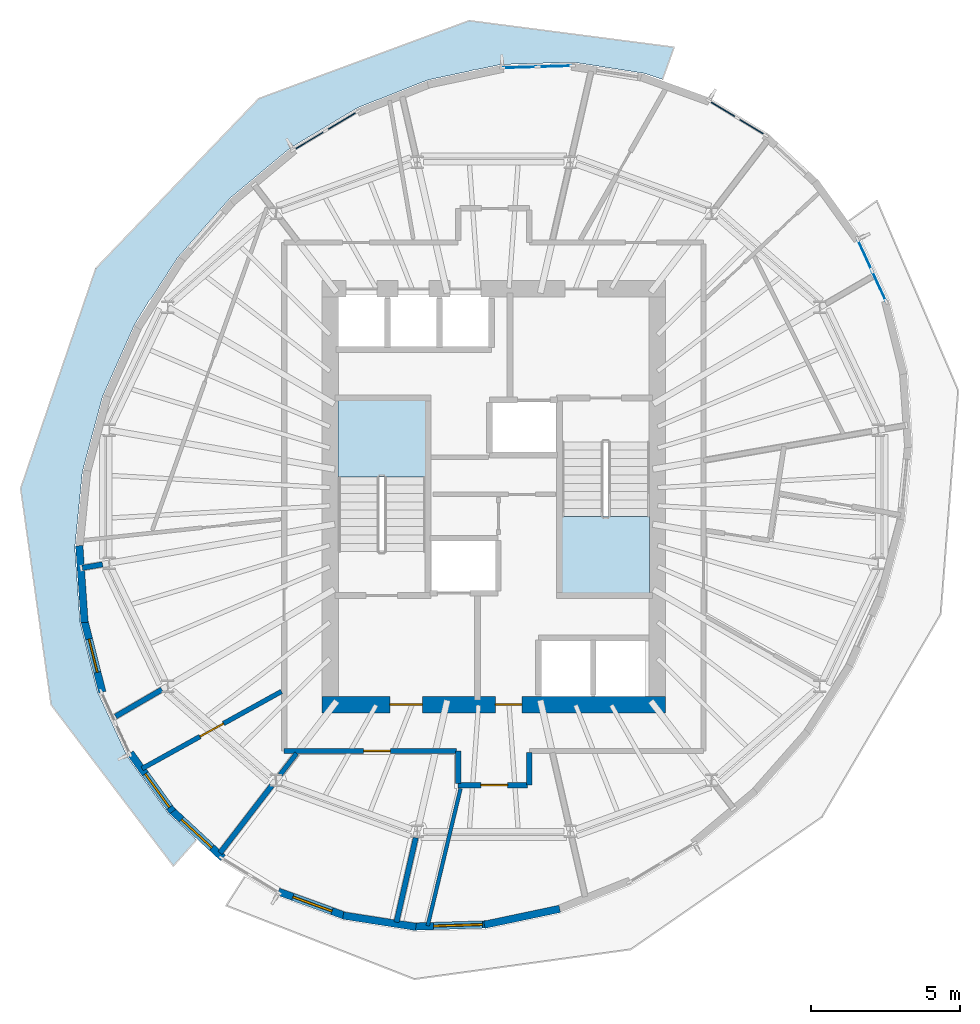
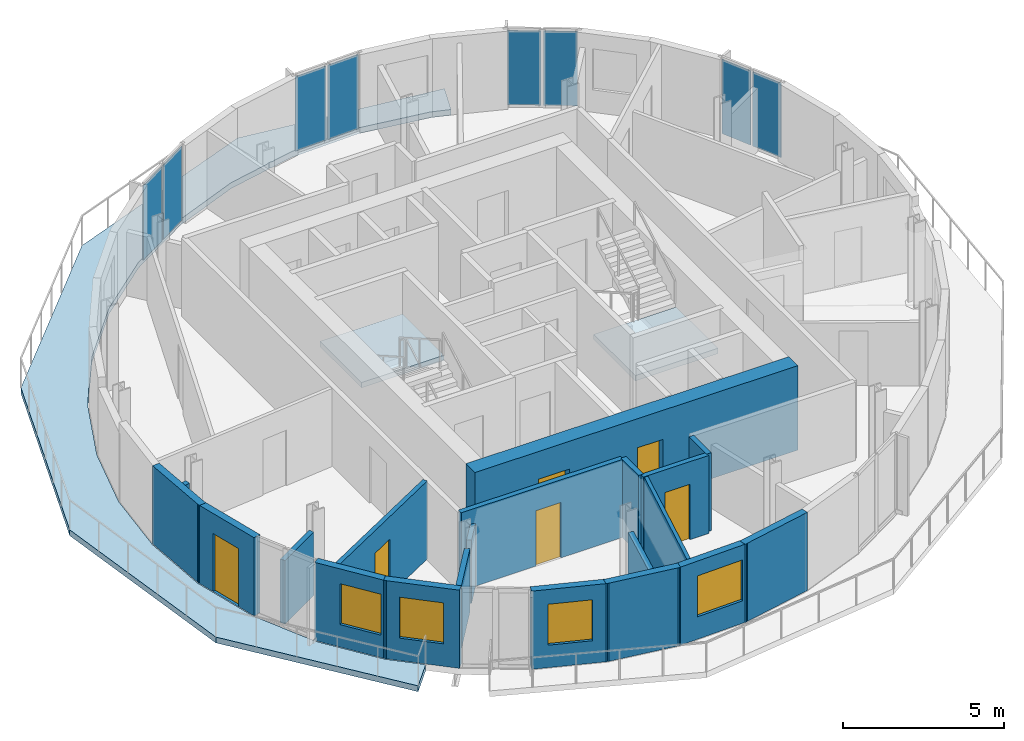
# One storey, part 4 of 11: 20 walls, 8 plates, 6 doors, 4 windows, 3 slabs, 10 openings, 6 elements without a shape of their own.
"""IFC4 building model written with IfcOpenShell, lengths in metres."""

import ifcopenshell
import ifcopenshell.guid

model = None  # the IFC model being written
_history = None  # IfcOwnerHistory: only IFC2X3 demands one
_inside = {}  # id of a spatial element -> (the spatial element, [elements in it])
_under = {}  # id of a project, library or spatial element -> (it, [spatial elements below it])
_declared = {}  # id of a project -> (the project, [libraries it declares])
_typed = {}  # id of a type object -> (the type object, [elements of that type])
_made_of = {}  # id of a material, layer set ... -> (it, [elements and type objects made of it])


def new_model(schema):
    """Start an empty IFC model of exactly this schema.

    Asked for "IFC4X3", IfcOpenShell would pick the latest addendum, in which some entities
    have other attributes; the version numbers below select the first issue.
    IFC2X3 requires an IfcOwnerHistory on every rooted entity: one is made here for all.
    """
    global model, _history
    if schema == "IFC4X3":
        model = ifcopenshell.file(schema_version=(4, 3, 0, 0))
    else:
        model = ifcopenshell.file(schema=schema)
    _inside.clear()
    _under.clear()
    _declared.clear()
    _typed.clear()
    _made_of.clear()
    _history = None
    if model.schema == "IFC2X3":
        org = make("IfcOrganization", Name="unknown")
        user = make(
            "IfcPersonAndOrganization",
            ThePerson=make("IfcPerson", FamilyName="unknown"),
            TheOrganization=org,
        )
        app = make(
            "IfcApplication",
            ApplicationDeveloper=org,
            Version="unknown",
            ApplicationFullName="unknown",
            ApplicationIdentifier="unknown",
        )
        _history = make(
            "IfcOwnerHistory",
            OwningUser=user,
            OwningApplication=app,
            ChangeAction="ADDED",
            CreationDate=0,
        )
    return model


def make(cls, **values):
    """One entity of the class cls with the attributes given. An attribute that is None is left unset."""
    return model.create_entity(
        cls, **{name: value for name, value in values.items() if value is not None}
    )


def rooted(cls, **values):
    """An entity with a GlobalId (a new one), such as an element, a storey or a relation."""
    return make(cls, GlobalId=ifcopenshell.guid.new(), OwnerHistory=_history, **values)


def si_unit(unit_type, name, prefix=None):
    """IfcSIUnit, for example si_unit("LENGTHUNIT", "METRE", prefix="MILLI")."""
    return make("IfcSIUnit", UnitType=unit_type, Prefix=prefix, Name=name)


def assignment(units):
    """IfcUnitAssignment: the units of a project."""
    return None if units is None else make("IfcUnitAssignment", Units=units)


def point(xyz):
    """IfcCartesianPoint."""
    return None if xyz is None else make("IfcCartesianPoint", Coordinates=xyz)


def direction(xyz):
    """IfcDirection."""
    return None if xyz is None else make("IfcDirection", DirectionRatios=xyz)


def frame(location, z_axis=None, x_axis=None):
    """IfcAxis2Placement3D, a coordinate frame: its origin and axes. An axis left out is left unset."""
    return make(
        "IfcAxis2Placement3D",
        Location=point(location),
        Axis=direction(z_axis),
        RefDirection=direction(x_axis),
    )


def frame_2d(location, x_axis=None):
    """IfcAxis2Placement2D, a coordinate frame in the plane: its origin and x axis."""
    return make(
        "IfcAxis2Placement2D", Location=point(location), RefDirection=direction(x_axis)
    )


def origin():
    """The frame at (0, 0, 0) with its axes left unset."""
    return frame((0.0, 0.0, 0.0))


def origin_2d():
    """The frame at (0, 0) in the plane with its x axis left unset."""
    return frame_2d((0.0, 0.0))


def place(relative_to, where):
    """IfcLocalPlacement: puts the frame where relative to a parent placement (None: the world)."""
    return make(
        "IfcLocalPlacement", PlacementRelTo=relative_to, RelativePlacement=where
    )


def context(
    kind, dimensions, precision=None, world=None, true_north=None, identifier=None
):
    """IfcGeometricRepresentationContext, for example the 3D "Model" context."""
    return make(
        "IfcGeometricRepresentationContext",
        ContextIdentifier=identifier,
        ContextType=kind,
        CoordinateSpaceDimension=dimensions,
        Precision=precision,
        WorldCoordinateSystem=world,
        TrueNorth=true_north,
    )


def subcontext(parent, identifier, kind, view, scale=None):
    """IfcGeometricRepresentationSubContext, for example "Body" below "Model"."""
    return make(
        "IfcGeometricRepresentationSubContext",
        ContextIdentifier=identifier,
        ContextType=kind,
        ParentContext=parent,
        TargetScale=scale,
        TargetView=view,
    )


def project(units=None, contexts=None):
    """IfcProject with its units and contexts."""
    return rooted(
        "IfcProject",
        Name="project",
        RepresentationContexts=contexts,
        UnitsInContext=assignment(units),
    )


def spatial(cls, under=None, at=None, **own):
    """A site, building, storey or space (cls), placed at a placement, below another one or the project."""
    s = rooted(cls, ObjectPlacement=at, **own)
    if under is not None:
        _under.setdefault(under.id(), (under, []))[1].append(s)
    return s


def polyline(points):
    """IfcPolyline through the points."""
    return make("IfcPolyline", Points=[point(p) for p in points])


def profile(cls, at=None, kind="AREA", **sizes):
    """A parametric profile (cls). Its sizes go by their IFC names, for example OverallWidth=200.0."""
    return make(cls, ProfileType=kind, Position=at, **sizes)


def rectangle(**sizes):
    """IfcRectangleProfileDef."""
    return profile("IfcRectangleProfileDef", **sizes)


def outline(outer, holes=None, kind="AREA"):
    """IfcArbitraryClosedProfileDef: a profile drawn as a closed curve; with holes, ...WithVoids."""
    if holes is None:
        return make("IfcArbitraryClosedProfileDef", ProfileType=kind, OuterCurve=outer)
    return make(
        "IfcArbitraryProfileDefWithVoids",
        ProfileType=kind,
        OuterCurve=outer,
        InnerCurves=holes,
    )


def extrude(swept, where, along, depth):
    """IfcExtrudedAreaSolid: the profile swept, set in the frame where, extruded along a direction by depth."""
    return make(
        "IfcExtrudedAreaSolid",
        SweptArea=swept,
        Position=where,
        ExtrudedDirection=direction(along),
        Depth=depth,
    )


def shape(context_of_items, identifier, shape_type, items):
    """IfcShapeRepresentation: the items that make up one representation, for example the "Body"."""
    return make(
        "IfcShapeRepresentation",
        ContextOfItems=context_of_items,
        RepresentationIdentifier=identifier,
        RepresentationType=shape_type,
        Items=items,
    )


def material(Name=None, Category=None):
    """IfcMaterial."""
    return make("IfcMaterial", Name=Name, Category=Category)


def layer(
    of_material, thickness, ventilated=None, Name=None, Category=None, Priority=None
):
    """IfcMaterialLayer: one layer of a wall or slab, of a material (None: an air gap)."""
    return make(
        "IfcMaterialLayer",
        Material=of_material,
        LayerThickness=thickness,
        IsVentilated=ventilated,
        Name=Name,
        Category=Category,
        Priority=Priority,
    )


def layer_set(layers, Name=None):
    """IfcMaterialLayerSet."""
    return make("IfcMaterialLayerSet", MaterialLayers=layers, LayerSetName=Name)


def made_of(thing, what):
    """Note that an element or type object is made of a material, layer set ...; save() writes the relation."""
    if what is not None:
        _made_of.setdefault(what.id(), (what, []))[1].append(thing)
    return thing


def type_object(cls, material=None, **own):
    """A type object (cls), such as IfcWallType, which elements share."""
    return made_of(rooted(cls, **own), material)


def element(
    cls,
    number,
    at=None,
    inside=None,
    cuts=None,
    type_object=None,
    material=None,
    context=None,
    identifier="Body",
    shape_type=None,
    held_by="IfcProductDefinitionShape",
    body=None,
    shapes=None,
    **own,
):
    """One element of the class cls, such as IfcWall. Its Tag is "e" and its number.

    at: its placement. inside: the storey or other place that contains it. cuts: it is an
    opening in that element (IfcRelVoidsElement). A single representation is given by context,
    identifier, shape_type and body (its items); several are given by shapes. held_by: the class
    of the entity that holds the representations. save() writes the other relations.
    """
    e = rooted(cls, Tag="e%d" % number, ObjectPlacement=at, **own)
    if body is not None:
        shapes = [shape(context, identifier, shape_type, body)]
    if shapes is not None:
        e.Representation = make(held_by, Representations=shapes)
    if inside is not None:
        _inside.setdefault(inside.id(), (inside, []))[1].append(e)
    if cuts is not None:
        rooted(
            "IfcRelVoidsElement", RelatingBuildingElement=cuts, RelatedOpeningElement=e
        )
    if type_object is not None:
        _typed.setdefault(type_object.id(), (type_object, []))[1].append(e)
    return made_of(e, material)


def fill(opening, filler):
    """IfcRelFillsElement: the door or window that sits in an opening."""
    return rooted(
        "IfcRelFillsElement",
        RelatingOpeningElement=opening,
        RelatedBuildingElement=filler,
    )


def aggregate(whole, parts):
    """IfcRelAggregates: a whole, such as a stair, and the parts it consists of."""
    return rooted("IfcRelAggregates", RelatingObject=whole, RelatedObjects=parts)


def save(model, path):
    """Write the relations noted so far, then the file.

    IfcRelAggregates (storeys below a building ...), IfcRelContainedInSpatialStructure (elements
    in a storey), IfcRelDefinesByType, IfcRelAssociatesMaterial and IfcRelDeclares: one each for
    every whole, place, type object, material and project.
    """
    for whole, parts in _under.values():
        aggregate(whole, parts)
    for where, things in _inside.values():
        rooted(
            "IfcRelContainedInSpatialStructure",
            RelatedElements=things,
            RelatingStructure=where,
        )
    for kind, things in _typed.values():
        rooted("IfcRelDefinesByType", RelatedObjects=things, RelatingType=kind)
    for what, things in _made_of.values():
        rooted("IfcRelAssociatesMaterial", RelatedObjects=things, RelatingMaterial=what)
    for by, libraries in _declared.values():
        rooted("IfcRelDeclares", RelatingContext=by, RelatedDefinitions=libraries)
    model.write(path)


model = new_model("IFC4")

# Units and contexts
model_context = context("Model", 3, precision=1e-05, world=origin(), true_north=direction((0.0, 1.0)))
body_context = subcontext(model_context, "Body", "Model", "MODEL_VIEW")
ifc_project = project(units=[si_unit("LENGTHUNIT", "METRE"), si_unit("AREAUNIT", "SQUARE_METRE"), si_unit("VOLUMEUNIT", "CUBIC_METRE"), si_unit("PLANEANGLEUNIT", "RADIAN"), si_unit("MASSUNIT", "GRAM", prefix="KILO")], contexts=[model_context])

# Site, building, storey
site_placement = place(None, origin())
site = spatial("IfcSite", under=ifc_project, at=site_placement, CompositionType="ELEMENT")
building_placement = place(site_placement, origin())
building = spatial("IfcBuilding", under=site, at=building_placement, Name="Veldorim Arch Residences", CompositionType="ELEMENT")
storey_placement = place(building_placement, frame((0.0, 0.0, 217.43994140625)))
storey = spatial("IfcBuildingStorey", under=building, at=storey_placement, Name="L65", CompositionType="ELEMENT", Elevation=217.43994140625)

# Slab
ifc_material_1 = material(Name="Concrete C40/50", Category="concrete")
ifc_layer_1 = layer(ifc_material_1, 0.219970703125, Name="Planted Crescent Cantilever Balcony Slab 220")
ifc_layer_set_1 = layer_set([ifc_layer_1], Name="Concrete C40/50")
slab_type_1 = type_object("IfcSlabType", Name="Planted Crescent Cantilever Balcony Slab 220", PredefinedType="FLOOR", material=ifc_layer_set_1)
slab_1_placement = place(storey_placement, frame((0.0, 0.0, -0.219970703125)))
element("IfcSlab", 1, at=slab_1_placement, inside=storey, type_object=slab_type_1, Name="L65 planted crescent balcony slab A", PredefinedType="FLOOR", context=body_context, shape_type="SweptSolid", body=[
    extrude(outline(polyline([(37.680419921875, 38.05078125), (37.051513671875, 38.256103515625), (34.687744140625, 38.62548828125), (32.2421875, 38.5498046875), (31.4560546875, 38.384033203125), (31.35986328125, 38.38916015625), (31.243896484375, 38.33935546875), (29.789794921875, 38.032470703125), (27.404296875, 37.088623046875), (25.158935546875, 35.747314453125), (23.121337890625, 34.04931640625), (21.353515625, 32.046142578125), (20.4931640625, 30.707763671875), (20.40966796875, 30.6181640625), (19.90869140625, 29.798583984375), (18.831298828125, 27.374755859375), (18.15380859375, 24.848388671875), (17.897216796875, 22.296142578125), (18.068603515625, 19.795654296875), (18.66357421875, 17.422607421875), (19.6640625, 15.248779296875), (21.039306640625, 13.34130859375), (21.90380859375, 12.540283203125), (21.97509765625, 12.429931640625), (21.213134765625, 11.568603515625), (17.098388671875, 16.993408203125), (16.072509765625, 24.278564453125), (18.603515625, 31.689697265625), (24.087646484375, 37.402587890625), (31.172607421875, 40.026123046875), (38.071533203125, 39.132080078125), (37.680419921875, 38.05078125)])), origin(), (0.0, 0.0, 1.0), 0.219970703125),
])

# Stair, slab
ifc_material_2 = material(Name="Concrete C40/50", Category="concrete")
stair_type = type_object("IfcStairType", Name="Reinforced Concrete Dogleg Exit Staircase", PredefinedType="HALF_TURN_STAIR", material=ifc_material_2)
stair_1_placement = place(storey_placement, origin())
stair_1 = element("IfcStair", 2, at=stair_1_placement, inside=storey, type_object=stair_type, Name="L65 Exit Staircase ST-1", PredefinedType="HALF_TURN_STAIR")
ifc_material_3 = material(Name="Concrete C40/50", Category="concrete")
ifc_layer_2 = layer(ifc_material_3, 0.199951171875, Name="Reinforced Concrete Stair Landing 200")
ifc_layer_set_2 = layer_set([ifc_layer_2], Name="Concrete C40/50")
slab_type_2 = type_object("IfcSlabType", Name="Reinforced Concrete Stair Landing 200", PredefinedType="LANDING", material=ifc_layer_set_2)
slab_2_placement = place(storey_placement, frame((0.0, 0.0, 1.400146484375)))
slab_2 = element("IfcSlab", 3, at=slab_2_placement, type_object=slab_type_2, Name="ST-1 landing 1", PredefinedType="LANDING", context=body_context, shape_type="SweptSolid", body=[
    extrude(outline(polyline([(29.7099609375, 24.669921875), (29.7099609375, 27.25), (26.75, 27.25), (26.75, 24.669921875), (29.7099609375, 24.669921875)])), origin(), (0.0, 0.0, 1.0), 0.199951171875),
])
aggregate(stair_1, [slab_2])

stair_2_placement = place(storey_placement, origin())
stair_2 = element("IfcStair", 4, at=stair_2_placement, inside=storey, type_object=stair_type, Name="L65 Exit Staircase ST-2", PredefinedType="HALF_TURN_STAIR")
slab_3_placement = place(storey_placement, frame((0.0, 0.0, 1.400146484375)))
slab_3 = element("IfcSlab", 5, at=slab_3_placement, type_object=slab_type_2, Name="ST-2 landing 1", PredefinedType="LANDING", context=body_context, shape_type="SweptSolid", body=[
    extrude(outline(polyline([(34.2900390625, 23.330078125), (34.2900390625, 20.75), (37.25, 20.75), (37.25, 23.330078125), (34.2900390625, 23.330078125)])), origin(), (0.0, 0.0, 1.0), 0.199951171875),
])
aggregate(stair_2, [slab_3])

# Curtain wall, plates
ifc_material_4 = material(Name="Aluminium", Category="aluminium")
curtain_wall_type = type_object("IfcCurtainWallType", Name="Zone 4 High-Altitude Unitised Curtain Wall", PredefinedType="NOTDEFINED", material=ifc_material_4)
curtain_wall_1_placement = place(storey_placement, origin())
curtain_wall_1 = element("IfcCurtainWall", 6, at=curtain_wall_1_placement, inside=storey, type_object=curtain_wall_type, Name="L65 unitised curtain wall bay 01", PredefinedType="NOTDEFINED")
ifc_material_5 = material(Name="Laminated Low-E Glass", Category="glass")
ifc_layer_3 = layer(ifc_material_5, 0.030029296875, Name="Zone 4 High-Altitude Unitised Curtain Wall Glazing Panel 30")
ifc_layer_set_3 = layer_set([ifc_layer_3], Name="Laminated Low-E Glass")
plate_type = type_object("IfcPlateType", Name="Zone 4 High-Altitude Unitised Curtain Wall Glazing Panel 30", PredefinedType="CURTAIN_PANEL", material=ifc_layer_set_3)
plate_1_placement = place(storey_placement, frame((39.716796875, 37.042236328125, 0.074951171875), z_axis=(0.0, 0.0, 1.0), x_axis=(0.854146218846, -0.520032918989, 0.0)))
plate_1 = element("IfcPlate", 7, at=plate_1_placement, type_object=plate_type, Name="CW-Z4 panel 1.1", PredefinedType="CURTAIN_PANEL", context=body_context, shape_type="SweptSolid", body=[
    extrude(rectangle(XDim=1.0498046875, YDim=0.030029296875, at=origin_2d()), origin(), (0.0, 0.0, 1.0), 2.81005859375),
])
plate_2_placement = place(storey_placement, frame((40.677734375, 36.457275390625, 0.074951171875), z_axis=(0.0, 0.0, 1.0), x_axis=(0.854146218846, -0.520032918989, 0.0)))
plate_2 = element("IfcPlate", 8, at=plate_2_placement, type_object=plate_type, Name="CW-Z4 panel 2.1", PredefinedType="CURTAIN_PANEL", context=body_context, shape_type="SweptSolid", body=[
    extrude(rectangle(XDim=1.0498046875, YDim=0.030029296875, at=origin_2d()), origin(), (0.0, 0.0, 1.0), 2.81005859375),
])
aggregate(curtain_wall_1, [plate_1, plate_2])

curtain_wall_2_placement = place(storey_placement, origin())
curtain_wall_2 = element("IfcCurtainWall", 9, at=curtain_wall_2_placement, inside=storey, type_object=curtain_wall_type, Name="L65 unitised curtain wall bay 04", PredefinedType="NOTDEFINED")
plate_3_placement = place(storey_placement, frame((32.876953125, 38.454345703125, 0.074951171875), z_axis=(0.0, 0.0, 1.0), x_axis=(0.999524500422, 0.030834608084, 0.0)))
plate_3 = element("IfcPlate", 10, at=plate_3_placement, type_object=plate_type, Name="CW-Z4 panel 1.1", PredefinedType="CURTAIN_PANEL", context=body_context, shape_type="SweptSolid", body=[
    extrude(rectangle(XDim=1.108642578125, YDim=0.030029296875, at=origin_2d()), origin(), (0.0, 0.0, 1.0), 2.81005859375),
])
plate_4_placement = place(storey_placement, frame((34.059814453125, 38.490966796875, 0.074951171875), z_axis=(0.0, 0.0, 1.0), x_axis=(0.999524500422, 0.030834608084, 0.0)))
plate_4 = element("IfcPlate", 11, at=plate_4_placement, type_object=plate_type, Name="CW-Z4 panel 2.1", PredefinedType="CURTAIN_PANEL", context=body_context, shape_type="SweptSolid", body=[
    extrude(rectangle(XDim=1.108642578125, YDim=0.030029296875, at=origin_2d()), origin(), (0.0, 0.0, 1.0), 2.81005859375),
])
aggregate(curtain_wall_2, [plate_3, plate_4])

curtain_wall_3_placement = place(storey_placement, origin())
curtain_wall_3 = element("IfcCurtainWall", 12, at=curtain_wall_3_placement, inside=storey, type_object=curtain_wall_type, Name="L65 unitised curtain wall bay 07", PredefinedType="NOTDEFINED")
plate_5_placement = place(storey_placement, frame((25.796142578125, 35.994140625, 0.074951171875), z_axis=(0.0, 0.0, 1.0), x_axis=(0.85849808331, 0.512816771325, 0.0)))
plate_5 = element("IfcPlate", 13, at=plate_5_placement, type_object=plate_type, Name="CW-Z4 panel 1.1", PredefinedType="CURTAIN_PANEL", context=body_context, shape_type="SweptSolid", body=[
    extrude(rectangle(XDim=1.193359375, YDim=0.030029296875, at=origin_2d()), origin(), (0.0, 0.0, 1.0), 2.81005859375),
])
plate_6_placement = place(storey_placement, frame((26.885009765625, 36.64453125, 0.074951171875), z_axis=(0.0, 0.0, 1.0), x_axis=(0.85849808331, 0.512816771325, 0.0)))
plate_6 = element("IfcPlate", 14, at=plate_6_placement, type_object=plate_type, Name="CW-Z4 panel 2.1", PredefinedType="CURTAIN_PANEL", context=body_context, shape_type="SweptSolid", body=[
    extrude(rectangle(XDim=1.193359375, YDim=0.030029296875, at=origin_2d()), origin(), (0.0, 0.0, 1.0), 2.81005859375),
])
aggregate(curtain_wall_3, [plate_5, plate_6])

curtain_wall_4_placement = place(storey_placement, origin())
curtain_wall_4 = element("IfcCurtainWall", 15, at=curtain_wall_4_placement, inside=storey, type_object=curtain_wall_type, Name="L65 unitised curtain wall bay 34", PredefinedType="NOTDEFINED")
plate_7_placement = place(storey_placement, frame((44.489990234375, 32.141357421875, 0.074951171875), z_axis=(0.0, 0.0, 1.0), x_axis=(0.418101919427, -0.908400123828, 0.0)))
plate_7 = element("IfcPlate", 16, at=plate_7_placement, type_object=plate_type, Name="CW-Z4 panel 1.1", PredefinedType="CURTAIN_PANEL", context=body_context, shape_type="SweptSolid", body=[
    extrude(rectangle(XDim=1.08154296875, YDim=0.030029296875, at=origin_2d()), origin(), (0.0, 0.0, 1.0), 2.81005859375),
])
plate_8_placement = place(storey_placement, frame((44.973388671875, 31.0908203125, 0.074951171875), z_axis=(0.0, 0.0, 1.0), x_axis=(0.418101919427, -0.908400123828, 0.0)))
plate_8 = element("IfcPlate", 17, at=plate_8_placement, type_object=plate_type, Name="CW-Z4 panel 2.1", PredefinedType="CURTAIN_PANEL", context=body_context, shape_type="SweptSolid", body=[
    extrude(rectangle(XDim=1.08154296875, YDim=0.030029296875, at=origin_2d()), origin(), (0.0, 0.0, 1.0), 2.81005859375),
])
aggregate(curtain_wall_4, [plate_7, plate_8])

# Walls
ifc_material_6 = material(Name="Acoustic Gypsum Board", Category="gypsum")
ifc_layer_4 = layer(ifc_material_6, 0.125, Name="Acoustic Stud Room Partition Wall 125")
ifc_layer_set_4 = layer_set([ifc_layer_4], Name="Acoustic Gypsum Board")
wall_type_1 = type_object("IfcWallType", Name="Acoustic Stud Room Partition Wall 125", PredefinedType="PARTITIONING", material=ifc_layer_set_4)
wall_1_placement = place(storey_placement, frame((29.775390625, 9.553955078125, 0.0), z_axis=(0.0, 0.0, 1.0), x_axis=(0.232836379221, 0.972515923012, 0.0)))
element("IfcWall", 18, at=wall_1_placement, inside=storey, type_object=wall_type_1, Name="L65 interior wall WL-RES-L65-014", PredefinedType="PARTITIONING", context=body_context, shape_type="SweptSolid", body=[
    extrude(rectangle(XDim=4.75, YDim=0.125, at=frame_2d((2.375, 0.0))), origin(), (0.0, 0.0, 1.0), 2.955078125),
])
ifc_material_7 = material(Name="Lightweight Masonry Block & Gypsum", Category="masonry")
ifc_layer_5 = layer(ifc_material_7, 0.179931640625, Name="Compartment & Corridor Fire-Rated Party Wall 180")
ifc_layer_set_5 = layer_set([ifc_layer_5], Name="Lightweight Masonry Block & Gypsum")
wall_type_2 = type_object("IfcWallType", Name="Compartment & Corridor Fire-Rated Party Wall 180", PredefinedType="PARTITIONING", material=ifc_layer_set_5)
wall_2_placement = place(storey_placement, frame((18.827392578125, 21.72119140625, 0.0), z_axis=(0.0, 0.0, 1.0), x_axis=(-0.985357392461, -0.170501639647, 0.0)))
element("IfcWall", 19, at=wall_2_placement, inside=storey, type_object=wall_type_2, Name="L65 interior wall WL-PIER-L65-09", PredefinedType="PARTITIONING", context=body_context, shape_type="SweptSolid", body=[
    extrude(rectangle(XDim=0.687255859375, YDim=0.179931640625, at=frame_2d((0.34375, 0.0))), origin(), (0.0, 0.0, 1.0), 2.403564453125),
])
wall_3_placement = place(storey_placement, frame((20.826171875, 17.5068359375, 0.0), z_axis=(0.0, 0.0, 1.0), x_axis=(-0.864637155841, -0.502396843879, 0.0)))
element("IfcWall", 20, at=wall_3_placement, inside=storey, type_object=wall_type_2, Name="L65 interior wall WL-PIER-L65-10", PredefinedType="PARTITIONING", context=body_context, shape_type="SweptSolid", body=[
    extrude(rectangle(XDim=1.802978515625, YDim=0.179931640625, at=frame_2d((0.9013671875, 0.0))), origin(), (0.0, 0.0, 1.0), 2.403564453125),
])
wall_4_placement = place(storey_placement, frame((24.526611328125, 14.272705078125, 0.0), z_axis=(0.0, 0.0, 1.0), x_axis=(-0.609244614772, -0.792982344931, 0.0)))
element("IfcWall", 21, at=wall_4_placement, inside=storey, type_object=wall_type_2, Name="L65 interior wall WL-PIER-L65-11", PredefinedType="PARTITIONING", context=body_context, shape_type="SweptSolid", body=[
    extrude(rectangle(XDim=2.86083984375, YDim=0.179931640625, at=frame_2d((1.430419921875, 0.0))), origin(), (0.0, 0.0, 1.0), 2.403564453125),
])
wall_5_placement = place(storey_placement, frame((29.37353515625, 12.516845703125, 0.0), z_axis=(0.0, 0.0, 1.0), x_axis=(-0.222945280676, -0.974830960641, 0.0)))
element("IfcWall", 22, at=wall_5_placement, inside=storey, type_object=wall_type_2, Name="L65 interior wall WL-PIER-L65-12", PredefinedType="PARTITIONING", context=body_context, shape_type="SweptSolid", body=[
    extrude(rectangle(XDim=2.916259765625, YDim=0.179931640625, at=frame_2d((1.4580078125, 0.0))), origin(), (0.0, 0.0, 1.0), 2.403564453125),
])
wall_6_placement = place(storey_placement, frame((33.199951171875, 15.3798828125, 0.0), z_axis=(0.0, 0.0, 1.0), x_axis=(0.0, -1.0, 0.0)))
element("IfcWall", 23, at=wall_6_placement, inside=storey, type_object=wall_type_2, Name="L65 interior wall WL-RES-L65-002", PredefinedType="PARTITIONING", context=body_context, shape_type="SweptSolid", body=[
    extrude(rectangle(XDim=1.08984375, YDim=0.179931640625, at=frame_2d((0.544921875, 0.0))), origin(), (0.0, 0.0, 1.0), 2.955078125),
])

# Wall, opening, door
wall_7_placement = place(storey_placement, frame((33.139892578125, 14.2900390625, 0.0), z_axis=(0.0, 0.0, 1.0), x_axis=(-1.0, 0.0, 0.0)))
wall_7 = element("IfcWall", 24, at=wall_7_placement, inside=storey, type_object=wall_type_2, Name="L65 interior wall WL-RES-L65-003", PredefinedType="PARTITIONING", context=body_context, shape_type="SweptSolid", body=[
    extrude(rectangle(XDim=2.33984375, YDim=0.179931640625, at=frame_2d((1.169921875, 0.0))), origin(), (0.0, 0.0, 1.0), 2.955078125),
])
opening_1_placement = place(wall_7_placement, frame((0.675537109375, 0.0, 0.0)))
opening_1 = element("IfcOpeningElement", 25, at=opening_1_placement, cuts=wall_7, Name="Opening DR-SVC", PredefinedType="OPENING", context=body_context, shape_type="SweptSolid", body=[
    extrude(rectangle(XDim=0.89990234375, YDim=2.10009765625, at=frame_2d((0.449951171875, 1.050048828125))), frame((0.0, 0.099853515625, 0.0), z_axis=(0.0, -1.0, 0.0), x_axis=(1.0, 0.0, 0.0)), (0.0, 0.0, 1.0), 0.199951171875),
])
ifc_material_8 = material(Name="Fire-Rated Steel", Category="steel")
door_type_1 = type_object("IfcDoorType", Name="Riser, Shelter & Plant Room Rated Steel Door 900x2100", OperationType="SINGLE_SWING_LEFT", PredefinedType="DOOR", material=ifc_material_8)
door_1_placement = place(opening_1_placement, origin())
door_1 = element("IfcDoor", 26, at=door_1_placement, inside=storey, type_object=door_type_1, Name="L65 interior door DR-RES-L65-001", OperationType="SINGLE_SWING_LEFT", OverallHeight=2.10009765625, OverallWidth=0.89990234375, PredefinedType="DOOR", context=body_context, shape_type="SweptSolid", body=[
    extrude(rectangle(XDim=0.89990234375, YDim=2.10009765625, at=frame_2d((0.449951171875, 1.050048828125))), frame((0.0, 0.02490234375, 0.0), z_axis=(0.0, -1.0, 0.0), x_axis=(1.0, 0.0, 0.0)), (0.0, 0.0, 1.0), 0.050048828125),
])
fill(opening_1, door_1)

# Wall
wall_8_placement = place(storey_placement, frame((30.800048828125, 14.35009765625, 0.0), z_axis=(0.0, 0.0, 1.0), x_axis=(0.0, 1.0, 0.0)))
element("IfcWall", 27, at=wall_8_placement, inside=storey, type_object=wall_type_2, Name="L65 interior wall WL-RES-L65-004", PredefinedType="PARTITIONING", context=body_context, shape_type="SweptSolid", body=[
    extrude(rectangle(XDim=1.08984375, YDim=0.179931640625, at=frame_2d((0.544921875, 0.0))), origin(), (0.0, 0.0, 1.0), 2.955078125),
])

# Wall, opening, door
wall_9_placement = place(storey_placement, frame((30.739990234375, 15.43994140625, 0.0), z_axis=(0.0, 0.0, 1.0), x_axis=(-1.0, 0.0, 0.0)))
wall_9 = element("IfcWall", 28, at=wall_9_placement, inside=storey, type_object=wall_type_2, Name="L65 interior wall WL-RES-L65-005", PredefinedType="PARTITIONING", context=body_context, shape_type="SweptSolid", body=[
    extrude(rectangle(XDim=5.800048828125, YDim=0.179931640625, at=frame_2d((2.89990234375, 0.0))), origin(), (0.0, 0.0, 1.0), 2.955078125),
])
opening_2_placement = place(wall_9_placement, frame((2.220703125, 0.0, 0.0)))
opening_2 = element("IfcOpeningElement", 29, at=opening_2_placement, cuts=wall_9, Name="Opening DR-INT", PredefinedType="OPENING", context=body_context, shape_type="SweptSolid", body=[
    extrude(rectangle(XDim=0.89990234375, YDim=2.10009765625, at=frame_2d((0.449951171875, 1.050048828125))), frame((0.0, 0.099853515625, 0.0), z_axis=(0.0, -1.0, 0.0), x_axis=(1.0, 0.0, 0.0)), (0.0, 0.0, 1.0), 0.199951171875),
])
ifc_material_9 = material(Name="Engineered Timber", Category="wood")
door_type_2 = type_object("IfcDoorType", Name="Apartment Internal Room Timber Door 900x2100", OperationType="SINGLE_SWING_LEFT", PredefinedType="DOOR", material=ifc_material_9)
door_2_placement = place(opening_2_placement, origin())
door_2 = element("IfcDoor", 30, at=door_2_placement, inside=storey, type_object=door_type_2, Name="L65 interior door DR-RES-L65-002", OperationType="SINGLE_SWING_RIGHT", OverallHeight=2.10009765625, OverallWidth=0.89990234375, PredefinedType="DOOR", context=body_context, shape_type="SweptSolid", body=[
    extrude(rectangle(XDim=0.89990234375, YDim=2.10009765625, at=frame_2d((0.449951171875, 1.050048828125))), frame((0.0, 0.02490234375, 0.0), z_axis=(0.0, -1.0, 0.0), x_axis=(1.0, 0.0, 0.0)), (0.0, 0.0, 1.0), 0.050048828125),
])
fill(opening_2, door_2)

# Wall
ifc_material_10 = material(Name="Precast concrete C40/50", Category="concrete")
ifc_layer_6 = layer(ifc_material_10, 0.25, Name="Tower Terracotta Spandrel & Pier Wall 250")
ifc_layer_set_6 = layer_set([ifc_layer_6], Name="Precast concrete C40/50")
wall_type_3 = type_object("IfcWallType", Name="Tower Terracotta Spandrel & Pier Wall 250", PredefinedType="SOLIDWALL", material=ifc_layer_set_6)
wall_10_placement = place(storey_placement, frame((18.22119140625, 19.76318359375, 0.0), z_axis=(0.0, 0.0, 1.0), x_axis=(-0.068469168344, 0.997653232835, 0.0)))
element("IfcWall", 31, at=wall_10_placement, inside=storey, type_object=wall_type_3, Name="L65 terracotta facade wall 14", PredefinedType="SOLIDWALL", context=body_context, shape_type="SweptSolid", body=[
    extrude(rectangle(XDim=2.59228515625, YDim=0.25, at=frame_2d((1.296142578125, 0.0))), origin(), (0.0, 0.0, 1.0), 2.9599609375),
])

# Wall, opening, door
wall_11_placement = place(storey_placement, frame((18.819580078125, 17.41748046875, 0.0), z_axis=(0.0, 0.0, 1.0), x_axis=(-0.243170809566, 0.969983483042, 0.0)))
wall_11 = element("IfcWall", 32, at=wall_11_placement, inside=storey, type_object=wall_type_3, Name="L65 terracotta facade wall 15", PredefinedType="SOLIDWALL", context=body_context, shape_type="SweptSolid", body=[
    extrude(rectangle(XDim=2.531982421875, YDim=0.25, at=frame_2d((1.26611328125, 0.0))), origin(), (0.0, 0.0, 1.0), 2.9599609375),
])
opening_3_placement = place(wall_11_placement, frame((0.69091796875, 0.0, 0.0)))
opening_3 = element("IfcOpeningElement", 33, at=opening_3_placement, cuts=wall_11, Name="Opening BL-DR", PredefinedType="OPENING", context=body_context, shape_type="SweptSolid", body=[
    extrude(rectangle(XDim=1.14990234375, YDim=2.199951171875, at=frame_2d((0.574951171875, 1.10009765625))), frame((0.0, 0.135009765625, 0.0), z_axis=(0.0, -1.0, 0.0), x_axis=(1.0, 0.0, 0.0)), (0.0, 0.0, 1.0), 0.27001953125),
])
ifc_material_11 = material(Name="Aluminium & Low-E Glass", Category="aluminium")
door_type_3 = type_object("IfcDoorType", Name="Glazed Planted Balcony Door 1150x2200", OperationType="SINGLE_SWING_LEFT", PredefinedType="DOOR", material=ifc_material_11)
door_3_placement = place(opening_3_placement, origin())
door_3 = element("IfcDoor", 34, at=door_3_placement, inside=storey, type_object=door_type_3, Name="L65 glazed outdoor terrace door BALC-1", OperationType="SINGLE_SWING_LEFT", OverallHeight=2.199951171875, OverallWidth=1.14990234375, PredefinedType="DOOR", context=body_context, shape_type="SweptSolid", body=[
    extrude(rectangle(XDim=1.14990234375, YDim=2.199951171875, at=frame_2d((0.574951171875, 1.10009765625))), frame((0.0, 0.02490234375, 0.0), z_axis=(0.0, -1.0, 0.0), x_axis=(1.0, 0.0, 0.0)), (0.0, 0.0, 1.0), 0.050048828125),
])
fill(opening_3, door_3)

# Wall, opening, window
wall_12_placement = place(storey_placement, frame((21.185791015625, 13.39453125, 0.0), z_axis=(0.0, 0.0, 1.0), x_axis=(-0.584824573101, 0.811159798497, 0.0)))
wall_12 = element("IfcWall", 35, at=wall_12_placement, inside=storey, type_object=wall_type_3, Name="L65 terracotta facade wall 17", PredefinedType="SOLIDWALL", context=body_context, shape_type="SweptSolid", body=[
    extrude(rectangle(XDim=2.436767578125, YDim=0.25, at=frame_2d((1.21826171875, 0.0))), origin(), (0.0, 0.0, 1.0), 2.9599609375),
])
opening_4_placement = place(wall_12_placement, frame((0.175048828125, 0.0, 0.85009765625)))
opening_4 = element("IfcOpeningElement", 36, at=opening_4_placement, cuts=wall_12, Name="Opening WN-02", PredefinedType="OPENING", context=body_context, shape_type="SweptSolid", body=[
    extrude(rectangle(XDim=1.39990234375, YDim=1.550048828125, at=frame_2d((0.699951171875, 0.77490234375))), frame((0.0, 0.135009765625, 0.0), z_axis=(0.0, -1.0, 0.0), x_axis=(1.0, 0.0, 0.0)), (0.0, 0.0, 1.0), 0.27001953125),
])
ifc_material_12 = material(Name="Laminated Low-E Glass", Category="glass")
window_type_1 = type_object("IfcWindowType", Name="Residential Casement Window 1400x1550", PartitioningType="SINGLE_PANEL", PredefinedType="WINDOW", material=ifc_material_12)
window_1_placement = place(opening_4_placement, origin())
window_1 = element("IfcWindow", 37, at=window_1_placement, inside=storey, type_object=window_type_1, Name="L65 solar-control facade window 17", OverallHeight=1.550048828125, OverallWidth=1.39990234375, PartitioningType="SINGLE_PANEL", PredefinedType="WINDOW", context=body_context, shape_type="SweptSolid", body=[
    extrude(rectangle(XDim=1.39990234375, YDim=1.550048828125, at=frame_2d((0.699951171875, 0.77490234375))), frame((0.0, 0.030029296875, 0.0), z_axis=(0.0, -1.0, 0.0), x_axis=(1.0, 0.0, 0.0)), (0.0, 0.0, 1.0), 0.06005859375),
])
fill(opening_4, window_1)

wall_13_placement = place(storey_placement, frame((22.881103515625, 11.8388671875, 0.0), z_axis=(0.0, 0.0, 1.0), x_axis=(-0.733441361842, 0.679752726173, 0.0)))
wall_13 = element("IfcWall", 38, at=wall_13_placement, inside=storey, type_object=wall_type_3, Name="L65 terracotta facade wall 18", PredefinedType="SOLIDWALL", context=body_context, shape_type="SweptSolid", body=[
    extrude(rectangle(XDim=2.41455078125, YDim=0.25, at=frame_2d((1.207275390625, 0.0))), origin(), (0.0, 0.0, 1.0), 2.9599609375),
])
opening_5_placement = place(wall_13_placement, frame((0.507080078125, 0.0, 0.85009765625)))
opening_5 = element("IfcOpeningElement", 39, at=opening_5_placement, cuts=wall_13, Name="Opening WN-02", PredefinedType="OPENING", context=body_context, shape_type="SweptSolid", body=[
    extrude(rectangle(XDim=1.39990234375, YDim=1.550048828125, at=frame_2d((0.699951171875, 0.77490234375))), frame((0.0, 0.135009765625, 0.0), z_axis=(0.0, -1.0, 0.0), x_axis=(1.0, 0.0, 0.0)), (0.0, 0.0, 1.0), 0.27001953125),
])
window_2_placement = place(opening_5_placement, origin())
window_2 = element("IfcWindow", 40, at=window_2_placement, inside=storey, type_object=window_type_1, Name="L65 solar-control facade window 18", OverallHeight=1.550048828125, OverallWidth=1.39990234375, PartitioningType="SINGLE_PANEL", PredefinedType="WINDOW", context=body_context, shape_type="SweptSolid", body=[
    extrude(rectangle(XDim=1.39990234375, YDim=1.550048828125, at=frame_2d((0.699951171875, 0.77490234375))), frame((0.0, 0.030029296875, 0.0), z_axis=(0.0, -1.0, 0.0), x_axis=(1.0, 0.0, 0.0)), (0.0, 0.0, 1.0), 0.06005859375),
])
fill(opening_5, window_2)

wall_14_placement = place(storey_placement, frame((27.039794921875, 9.8701171875, 0.0), z_axis=(0.0, 0.0, 1.0), x_axis=(-0.939954186413, 0.341300640851, 0.0)))
wall_14 = element("IfcWall", 41, at=wall_14_placement, inside=storey, type_object=wall_type_3, Name="L65 terracotta facade wall 20", PredefinedType="SOLIDWALL", context=body_context, shape_type="SweptSolid", body=[
    extrude(rectangle(XDim=2.43701171875, YDim=0.25, at=frame_2d((1.218505859375, 0.0))), origin(), (0.0, 0.0, 1.0), 2.9599609375),
])
opening_6_placement = place(wall_14_placement, frame((0.51806640625, 0.0, 0.85009765625)))
opening_6 = element("IfcOpeningElement", 42, at=opening_6_placement, cuts=wall_14, Name="Opening WN-02", PredefinedType="OPENING", context=body_context, shape_type="SweptSolid", body=[
    extrude(rectangle(XDim=1.39990234375, YDim=1.550048828125, at=frame_2d((0.699951171875, 0.77490234375))), frame((0.0, 0.135009765625, 0.0), z_axis=(0.0, -1.0, 0.0), x_axis=(1.0, 0.0, 0.0)), (0.0, 0.0, 1.0), 0.27001953125),
])
window_3_placement = place(opening_6_placement, origin())
window_3 = element("IfcWindow", 43, at=window_3_placement, inside=storey, type_object=window_type_1, Name="L65 solar-control facade window 20", OverallHeight=1.550048828125, OverallWidth=1.39990234375, PartitioningType="SINGLE_PANEL", PredefinedType="WINDOW", context=body_context, shape_type="SweptSolid", body=[
    extrude(rectangle(XDim=1.39990234375, YDim=1.550048828125, at=frame_2d((0.699951171875, 0.77490234375))), frame((0.0, 0.030029296875, 0.0), z_axis=(0.0, -1.0, 0.0), x_axis=(1.0, 0.0, 0.0)), (0.0, 0.0, 1.0), 0.06005859375),
])
fill(opening_6, window_3)

# Wall
wall_15_placement = place(storey_placement, frame((29.377685546875, 9.516357421875, 0.0), z_axis=(0.0, 0.0, 1.0), x_axis=(-0.988040195026, 0.154196540209, 0.0)))
element("IfcWall", 44, at=wall_15_placement, inside=storey, type_object=wall_type_3, Name="L65 terracotta facade wall 21", PredefinedType="SOLIDWALL", context=body_context, shape_type="SweptSolid", body=[
    extrude(rectangle(XDim=2.477783203125, YDim=0.25, at=frame_2d((1.23876953125, 0.0))), origin(), (0.0, 0.0, 1.0), 2.9599609375),
])

# Wall, opening, window
wall_16_placement = place(storey_placement, frame((31.7958984375, 9.601318359375, 0.0), z_axis=(0.0, 0.0, 1.0), x_axis=(-0.999523857129, -0.030855453818, 0.0)))
wall_16 = element("IfcWall", 45, at=wall_16_placement, inside=storey, type_object=wall_type_3, Name="L65 terracotta facade wall 22", PredefinedType="SOLIDWALL", context=body_context, shape_type="SweptSolid", body=[
    extrude(rectangle(XDim=2.531982421875, YDim=0.25, at=frame_2d((1.26611328125, 0.0))), origin(), (0.0, 0.0, 1.0), 2.9599609375),
])
opening_7_placement = place(wall_16_placement, frame((0.175048828125, 0.0, 0.85009765625)))
opening_7 = element("IfcOpeningElement", 46, at=opening_7_placement, cuts=wall_16, Name="Opening WN-03", PredefinedType="OPENING", context=body_context, shape_type="SweptSolid", body=[
    extrude(rectangle(XDim=1.64990234375, YDim=1.550048828125, at=frame_2d((0.824951171875, 0.77490234375))), frame((0.0, 0.135009765625, 0.0), z_axis=(0.0, -1.0, 0.0), x_axis=(1.0, 0.0, 0.0)), (0.0, 0.0, 1.0), 0.27001953125),
])
ifc_material_13 = material(Name="Laminated Low-E Glass", Category="glass")
window_type_2 = type_object("IfcWindowType", Name="Residential Wide Window 1650x1550", PartitioningType="SINGLE_PANEL", PredefinedType="WINDOW", material=ifc_material_13)
window_4_placement = place(opening_7_placement, origin())
window_4 = element("IfcWindow", 47, at=window_4_placement, inside=storey, type_object=window_type_2, Name="L65 solar-control facade window 22", OverallHeight=1.550048828125, OverallWidth=1.64990234375, PartitioningType="SINGLE_PANEL", PredefinedType="WINDOW", context=body_context, shape_type="SweptSolid", body=[
    extrude(rectangle(XDim=1.64990234375, YDim=1.550048828125, at=frame_2d((0.824951171875, 0.77490234375))), frame((0.0, 0.030029296875, 0.0), z_axis=(0.0, -1.0, 0.0), x_axis=(1.0, 0.0, 0.0)), (0.0, 0.0, 1.0), 0.06005859375),
])
fill(opening_7, window_4)

# Wall
wall_17_placement = place(storey_placement, frame((34.22119140625, 10.123291015625, 0.0), z_axis=(0.0, 0.0, 1.0), x_axis=(-0.978434707222, -0.206556345104, 0.0)))
element("IfcWall", 48, at=wall_17_placement, inside=storey, type_object=wall_type_3, Name="L65 terracotta facade wall 23", PredefinedType="SOLIDWALL", context=body_context, shape_type="SweptSolid", body=[
    extrude(rectangle(XDim=2.592041015625, YDim=0.25, at=frame_2d((1.2958984375, 0.0))), origin(), (0.0, 0.0, 1.0), 2.9599609375),
])

# Wall, openings, doors
ifc_material_14 = material(Name="Concrete C50/60", Category="concrete")
ifc_layer_7 = layer(ifc_material_14, 0.5, Name="Upper Central Core Shear Wall 560")
ifc_layer_set_7 = layer_set([ifc_layer_7], Name="Concrete C50/60")
wall_type_4 = type_object("IfcWallType", Name="Upper Central Core Shear Wall 560", PredefinedType="SHEAR", material=ifc_layer_set_7)
wall_18_placement = place(storey_placement, frame((26.219970703125, 17.0, 0.0), z_axis=(0.0, 0.0, 1.0), x_axis=(1.0, 0.0, 0.0)))
wall_18 = element("IfcWall", 49, at=wall_18_placement, inside=storey, type_object=wall_type_4, Name="L65 central core south shear wall", PredefinedType="SHEAR", context=body_context, shape_type="SweptSolid", body=[
    extrude(rectangle(XDim=11.56005859375, YDim=0.56005859375, at=frame_2d((5.780029296875, 0.0))), origin(), (0.0, 0.0, 1.0), 3.199951171875),
])
opening_8_placement = place(wall_18_placement, frame((2.280029296875, 0.0, 0.0)))
opening_8 = element("IfcOpeningElement", 50, at=opening_8_placement, cuts=wall_18, Name="Opening DR-FFL", PredefinedType="OPENING", context=body_context, shape_type="SweptSolid", body=[
    extrude(rectangle(XDim=1.10009765625, YDim=2.14990234375, at=frame_2d((0.550048828125, 1.074951171875))), frame((0.0, 0.2900390625, 0.0), z_axis=(0.0, -1.0, 0.0), x_axis=(1.0, 0.0, 0.0)), (0.0, 0.0, 1.0), 0.580078125),
])
opening_9_placement = place(wall_18_placement, frame((5.830078125, 0.0, 0.0)))
opening_9 = element("IfcOpeningElement", 51, at=opening_9_placement, cuts=wall_18, Name="Opening DR-SVC", PredefinedType="OPENING", context=body_context, shape_type="SweptSolid", body=[
    extrude(rectangle(XDim=0.89990234375, YDim=2.10009765625, at=frame_2d((0.449951171875, 1.050048828125))), frame((0.0, 0.2900390625, 0.0), z_axis=(0.0, -1.0, 0.0), x_axis=(1.0, 0.0, 0.0)), (0.0, 0.0, 1.0), 0.580078125),
])
ifc_material_15 = material(Name="Fire-Rated Steel & Vision Glass", Category="steel")
door_type_4 = type_object("IfcDoorType", Name="Firefighting Lobby Smoke-Stop Fire Door 1100x2150", OperationType="SINGLE_SWING_LEFT", PredefinedType="DOOR", material=ifc_material_15)
door_4_placement = place(opening_8_placement, origin())
door_4 = element("IfcDoor", 52, at=door_4_placement, inside=storey, type_object=door_type_4, Name="L65 interior door DR-L65-FFL1", OperationType="SINGLE_SWING_RIGHT", OverallHeight=2.14990234375, OverallWidth=1.10009765625, PredefinedType="DOOR", context=body_context, shape_type="SweptSolid", body=[
    extrude(rectangle(XDim=1.10009765625, YDim=2.14990234375, at=frame_2d((0.550048828125, 1.074951171875))), frame((0.0, 0.02490234375, 0.0), z_axis=(0.0, -1.0, 0.0), x_axis=(1.0, 0.0, 0.0)), (0.0, 0.0, 1.0), 0.050048828125),
])
fill(opening_8, door_4)
door_5_placement = place(opening_9_placement, origin())
door_5 = element("IfcDoor", 53, at=door_5_placement, inside=storey, type_object=door_type_1, Name="L65 interior door DR-L65-COR-ANC", OperationType="SINGLE_SWING_LEFT", OverallHeight=2.10009765625, OverallWidth=0.89990234375, PredefinedType="DOOR", context=body_context, shape_type="SweptSolid", body=[
    extrude(rectangle(XDim=0.89990234375, YDim=2.10009765625, at=frame_2d((0.449951171875, 1.050048828125))), frame((0.0, 0.02490234375, 0.0), z_axis=(0.0, -1.0, 0.0), x_axis=(1.0, 0.0, 0.0)), (0.0, 0.0, 1.0), 0.050048828125),
])
fill(opening_9, door_5)

# Wall
ifc_material_16 = material(Name="Moisture-Resistant Gypsum & Stud", Category="gypsum")
ifc_layer_8 = layer(ifc_material_16, 0.159912109375, Name="Wet-Area Moisture-Resistant Plumbing Wall 160")
ifc_layer_set_8 = layer_set([ifc_layer_8], Name="Moisture-Resistant Gypsum & Stud")
wall_type_5 = type_object("IfcWallType", Name="Wet-Area Moisture-Resistant Plumbing Wall 160", PredefinedType="PLUMBINGWALL", material=ifc_layer_set_8)
wall_19_placement = place(storey_placement, frame((24.80615234375, 14.636474609375, 0.0), z_axis=(0.0, 0.0, 1.0), x_axis=(0.609284308489, 0.792951846854, 0.0)))
element("IfcWall", 54, at=wall_19_placement, inside=storey, type_object=wall_type_5, Name="L65 interior wall WL-RES-L65-016", PredefinedType="PLUMBINGWALL", context=body_context, shape_type="SweptSolid", body=[
    extrude(rectangle(XDim=0.9130859375, YDim=0.159912109375, at=frame_2d((0.45654296875, 0.0))), origin(), (0.0, 0.0, 1.0), 2.403564453125),
])

# Wall, opening, door
wall_20_placement = place(storey_placement, frame((24.8525390625, 17.442626953125, 0.0), z_axis=(0.0, 0.0, 1.0), x_axis=(-0.874969642777, -0.484177781624, 0.0)))
wall_20 = element("IfcWall", 55, at=wall_20_placement, inside=storey, type_object=wall_type_5, Name="L65 interior wall WL-RES-L65-028", PredefinedType="PLUMBINGWALL", context=body_context, shape_type="SweptSolid", body=[
    extrude(rectangle(XDim=5.364501953125, YDim=0.159912109375, at=frame_2d((2.68212890625, 0.0))), origin(), (0.0, 0.0, 1.0), 2.955078125),
])
opening_10_placement = place(wall_20_placement, frame((2.232421875, 0.0, 0.0)))
opening_10 = element("IfcOpeningElement", 56, at=opening_10_placement, cuts=wall_20, Name="Opening DR-WC", PredefinedType="OPENING", context=body_context, shape_type="SweptSolid", body=[
    extrude(rectangle(XDim=0.89990234375, YDim=2.10009765625, at=frame_2d((0.449951171875, 1.050048828125))), frame((0.0, 0.08984375, 0.0), z_axis=(0.0, -1.0, 0.0), x_axis=(1.0, 0.0, 0.0)), (0.0, 0.0, 1.0), 0.179931640625),
])
ifc_material_17 = material(Name="Laminate Timber", Category="wood")
door_type_5 = type_object("IfcDoorType", Name="Bathroom & Accessible WC Moisture-Sealed Door 900x2100", OperationType="SINGLE_SWING_LEFT", PredefinedType="DOOR", material=ifc_material_17)
door_6_placement = place(opening_10_placement, origin())
door_6 = element("IfcDoor", 57, at=door_6_placement, inside=storey, type_object=door_type_5, Name="L65 interior door DR-RES-L65-014", OperationType="SINGLE_SWING_RIGHT", OverallHeight=2.10009765625, OverallWidth=0.89990234375, PredefinedType="DOOR", context=body_context, shape_type="SweptSolid", body=[
    extrude(rectangle(XDim=0.89990234375, YDim=2.10009765625, at=frame_2d((0.449951171875, 1.050048828125))), frame((0.0, 0.02490234375, 0.0), z_axis=(0.0, -1.0, 0.0), x_axis=(1.0, 0.0, 0.0)), (0.0, 0.0, 1.0), 0.050048828125),
])
fill(opening_10, door_6)

save(model, "model.ifc")
